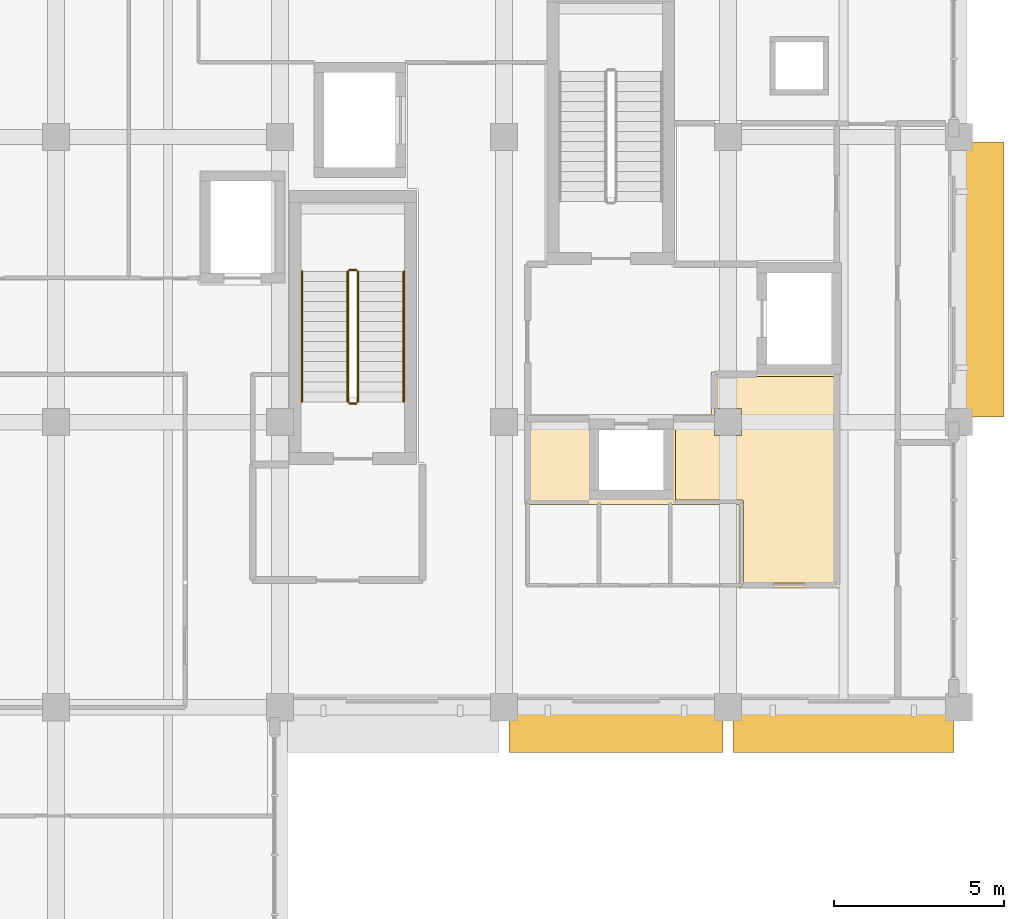
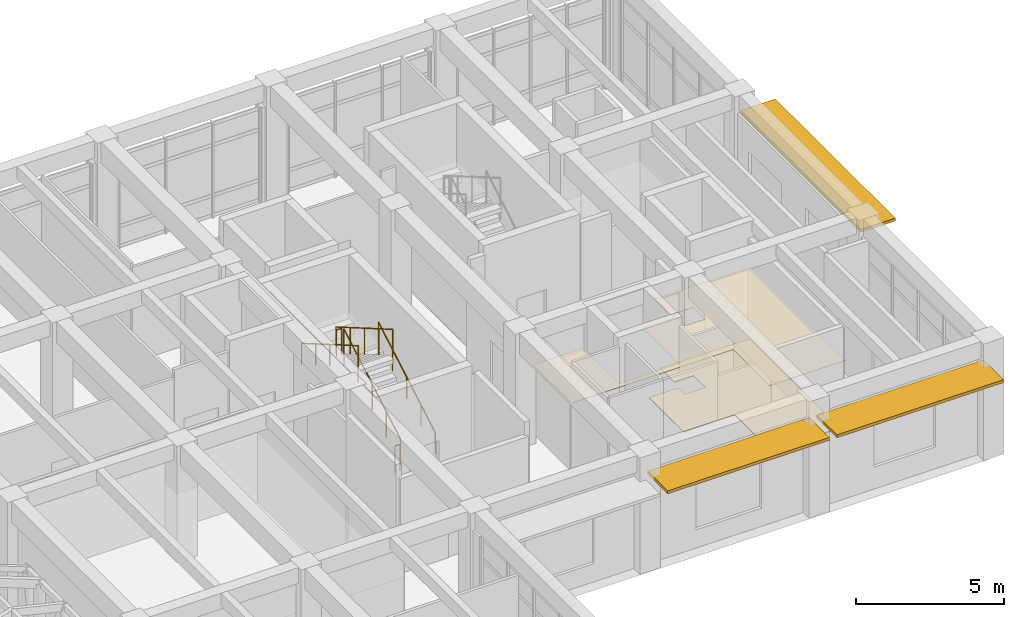
# One storey, part 77 of 79: 6 railings, 3 shading devices, 2 coverings.
"""IFC4 building model written with IfcOpenShell, lengths in metres."""

from ifc_helpers import new_model, si_unit, direction, frame, origin, origin_2d, place, context, subcontext, project, spatial, polyline, rectangle, circle, outline, extrude, material, layer, layer_set, type_object, element, save


model = new_model("IFC4")

# Units and contexts
model_context = context("Model", 3, precision=1e-05, world=origin(), true_north=direction((0.0, 1.0)))
body_context = subcontext(model_context, "Body", "Model", "MODEL_VIEW")
ifc_project = project(units=[si_unit("LENGTHUNIT", "METRE"), si_unit("AREAUNIT", "SQUARE_METRE"), si_unit("VOLUMEUNIT", "CUBIC_METRE"), si_unit("PLANEANGLEUNIT", "RADIAN"), si_unit("MASSUNIT", "GRAM", prefix="KILO")], contexts=[model_context])

# Site, building, storey
site_placement = place(None, origin())
site = spatial("IfcSite", under=ifc_project, at=site_placement, CompositionType="ELEMENT")
building_placement = place(site_placement, origin())
building = spatial("IfcBuilding", under=site, at=building_placement, Name="Kolvaren Faculty of Natural Sciences", CompositionType="ELEMENT")
storey_placement = place(building_placement, frame((0.0, 0.0, 10.199951171875)))
storey = spatial("IfcBuildingStorey", under=building, at=storey_placement, Name="L02", CompositionType="ELEMENT", Elevation=10.199951171875)

# Covering
ifc_material_1 = material(Name="Perforated mineral-fibre acoustic suspended ceiling tile")
ifc_layer_1 = layer(ifc_material_1, 0.02490234375)
ifc_layer_set_1 = layer_set([ifc_layer_1], Name="Perforated mineral-fibre acoustic suspended ceiling tile")
covering_type_1 = type_object("IfcCoveringType", Name="AcousticSuspendedCeiling_25", PredefinedType="CEILING", material=ifc_layer_set_1)
covering_1_placement = place(storey_placement, frame((0.0, 0.0, 2.824951171875)))
element("IfcCovering", 1, at=covering_1_placement, inside=storey, type_object=covering_type_1, Name="L02 Precision Specimen Store acoustic ceiling", PredefinedType="CEILING", context=body_context, shape_type="SweptSolid", body=[
    extrude(outline(polyline([(165.52001953125, 62.52001953125), (165.52001953125, 64.969970703125), (159.219970703125, 64.969970703125), (159.219970703125, 67.580078125), (161.179931640625, 67.580078125), (161.179931640625, 65.179931640625), (163.52001953125, 65.179931640625), (163.52001953125, 67.580078125), (164.719970703125, 67.580078125), (164.719970703125, 68.8798828125), (168.47998046875, 68.8798828125), (168.47998046875, 62.52001953125), (165.52001953125, 62.52001953125)]), holes=[polyline([(164.800048828125, 67.800048828125), (164.800048828125, 67.0), (165.60009765625, 67.0), (165.60009765625, 67.800048828125), (164.800048828125, 67.800048828125)])]), origin(), (0.0, 0.0, 1.0), 0.025146484375),
])

# Shading devices
ifc_material_2 = material(Name="Precast concrete C35/45", Category="concrete")
ifc_layer_2 = layer(ifc_material_2, 0.1201171875)
ifc_layer_set_2 = layer_set([ifc_layer_2], Name="Precast concrete C35/45")
shading_device_type = type_object("IfcShadingDeviceType", Name="ChhajjaSolarHood_1350", PredefinedType="AWNING", material=ifc_layer_set_2)
shading_device_1_placement = place(storey_placement, frame((172.655029296875, 71.60009765625, 3.844970703125), z_axis=(0.0, 0.0, 1.0), x_axis=(0.0, -1.0, 0.0)))
element("IfcShadingDevice", 2, at=shading_device_1_placement, inside=storey, type_object=shading_device_type, Name="L02 precast sandstone chhajja solar hood 101", PredefinedType="AWNING", context=body_context, shape_type="SweptSolid", body=[
    extrude(rectangle(XDim=8.10009765625, YDim=1.35009765625, at=origin_2d()), origin(), (0.0, 0.0, 1.0), 0.1201171875),
])
shading_device_2_placement = place(storey_placement, frame((168.60009765625, 58.344970703125, 3.695068359375), z_axis=(0.0, 0.0, 1.0), x_axis=(-1.0, 0.0, 0.0)))
element("IfcShadingDevice", 3, at=shading_device_2_placement, inside=storey, type_object=shading_device_type, Name="L02 precast sandstone chhajja solar hood 102", PredefinedType="AWNING", context=body_context, shape_type="SweptSolid", body=[
    extrude(rectangle(XDim=6.5, YDim=1.35009765625, at=origin_2d()), origin(), (0.0, 0.0, 1.0), 0.1201171875),
])
shading_device_3_placement = place(storey_placement, frame((161.89990234375, 58.344970703125, 3.695068359375), z_axis=(0.0, 0.0, 1.0), x_axis=(-1.0, 0.0, 0.0)))
element("IfcShadingDevice", 4, at=shading_device_3_placement, inside=storey, type_object=shading_device_type, Name="L02 precast sandstone chhajja solar hood 103", PredefinedType="AWNING", context=body_context, shape_type="SweptSolid", body=[
    extrude(rectangle(XDim=6.300048828125, YDim=1.35009765625, at=origin_2d()), origin(), (0.0, 0.0, 1.0), 0.1201171875),
])

# Railings
ifc_material_3 = material(Name="Structural steel EN 10210-1 S355J2H", Category="steel")
ifc_layer_3 = layer(ifc_material_3, 0.048095703125)
ifc_layer_set_3 = layer_set([ifc_layer_3], Name="Structural steel EN 10210-1 S355J2H")
railing_type_1 = type_object("IfcRailingType", Name="StairPitchHandrail_920", PredefinedType="HANDRAIL", material=ifc_layer_set_3)
railing_1_placement = place(storey_placement, frame((155.64990234375, 68.0, 0.17138671875)))
element("IfcRailing", 5, at=railing_1_placement, inside=storey, type_object=railing_type_1, Name="L02 ST-2 stair handrail 1", PredefinedType="HANDRAIL", context=body_context, shape_type="SweptSolid", body=[
    extrude(circle(Radius=0.02392578125, at=origin_2d()), frame((0.0, 0.0, 0.8759765625), z_axis=(0.0, 0.864592272851, 0.502474080651), x_axis=(-1.0, 0.0, 0.0)), (0.0, 0.0, 1.0), 4.435546875),
    extrude(circle(Radius=0.02099609375, at=origin_2d()), origin(), (0.0, 0.0, 1.0), 0.851806640625),
    extrude(circle(Radius=0.02099609375, at=origin_2d()), frame((0.0, 0.958740234375, 0.55712890625)), (0.0, 0.0, 1.0), 0.851806640625),
    extrude(circle(Radius=0.02099609375, at=origin_2d()), frame((0.0, 1.91748046875, 1.1142578125)), (0.0, 0.0, 1.0), 0.851806640625),
    extrude(circle(Radius=0.02099609375, at=origin_2d()), frame((0.0, 2.876220703125, 1.671630859375)), (0.0, 0.0, 1.0), 0.851806640625),
    extrude(circle(Radius=0.02099609375, at=origin_2d()), frame((0.0, 3.8349609375, 2.228759765625)), (0.0, 0.0, 1.0), 0.851806640625),
])
railing_2_placement = place(storey_placement, frame((152.64990234375, 71.8349609375, 2.571533203125)))
element("IfcRailing", 6, at=railing_2_placement, inside=storey, type_object=railing_type_1, Name="L02 ST-2 stair handrail 2", PredefinedType="HANDRAIL", context=body_context, shape_type="SweptSolid", body=[
    extrude(circle(Radius=0.02392578125, at=origin_2d()), frame((0.0, 0.0, 0.8759765625), z_axis=(0.0, -0.86461618451, 0.502432934314), x_axis=(1.0, 0.0, 0.0)), (0.0, 0.0, 1.0), 4.435546875),
    extrude(circle(Radius=0.02099609375, at=origin_2d()), origin(), (0.0, 0.0, 1.0), 0.851806640625),
    extrude(circle(Radius=0.02099609375, at=origin_2d()), frame((0.0, -0.958740234375, 0.55712890625)), (0.0, 0.0, 1.0), 0.851806640625),
    extrude(circle(Radius=0.02099609375, at=origin_2d()), frame((0.0, -1.91748046875, 1.1142578125)), (0.0, 0.0, 1.0), 0.851806640625),
    extrude(circle(Radius=0.02099609375, at=origin_2d()), frame((0.0, -2.876220703125, 1.67138671875)), (0.0, 0.0, 1.0), 0.851806640625),
    extrude(circle(Radius=0.02099609375, at=origin_2d()), frame((0.0, -3.8349609375, 2.228515625)), (0.0, 0.0, 1.0), 0.851806640625),
])
ifc_layer_4 = layer(ifc_material_3, 0.048095703125)
ifc_layer_set_4 = layer_set([ifc_layer_4], Name="Structural steel EN 10210-1 S355J2H")
railing_type_2 = type_object("IfcRailingType", Name="StairWellGuard_1100", PredefinedType="BALUSTRADE", material=ifc_layer_set_4)
railing_3_placement = place(storey_placement, frame((154.300048828125, 68.0, 0.17138671875)))
element("IfcRailing", 7, at=railing_3_placement, inside=storey, type_object=railing_type_2, Name="L02 ST-2 stair guard 1", PredefinedType="BALUSTRADE", context=body_context, shape_type="SweptSolid", body=[
    extrude(circle(Radius=0.02392578125, at=origin_2d()), frame((0.0, 0.0, 1.076171875), z_axis=(0.0, 0.864592272851, 0.502474080651), x_axis=(-1.0, 0.0, 0.0)), (0.0, 0.0, 1.0), 4.435546875),
    extrude(circle(Radius=0.02099609375, at=origin_2d()), origin(), (0.0, 0.0, 1.0), 1.052001953125),
    extrude(circle(Radius=0.02099609375, at=origin_2d()), frame((0.0, 0.958740234375, 0.55712890625)), (0.0, 0.0, 1.0), 1.052001953125),
    extrude(circle(Radius=0.02099609375, at=origin_2d()), frame((0.0, 1.91748046875, 1.1142578125)), (0.0, 0.0, 1.0), 1.052001953125),
    extrude(circle(Radius=0.02099609375, at=origin_2d()), frame((0.0, 2.876220703125, 1.671630859375)), (0.0, 0.0, 1.0), 1.052001953125),
    extrude(circle(Radius=0.02099609375, at=origin_2d()), frame((0.0, 3.8349609375, 2.228759765625)), (0.0, 0.0, 1.0), 1.052001953125),
])
railing_4_placement = place(storey_placement, frame((154.25, 71.885009765625, 2.400146484375)))
element("IfcRailing", 8, at=railing_4_placement, inside=storey, type_object=railing_type_2, Name="L02 ST-2 stair guard 2", PredefinedType="BALUSTRADE", context=body_context, shape_type="SweptSolid", body=[
    extrude(circle(Radius=0.02392578125, at=origin_2d()), frame((0.0, 0.0, 1.076171875), z_axis=(-1.0, 0.0, 0.0), x_axis=(0.0, -1.0, 0.0)), (0.0, 0.0, 1.0), 0.199951171875),
    extrude(circle(Radius=0.02099609375, at=origin_2d()), origin(), (0.0, 0.0, 1.0), 1.052001953125),
    extrude(circle(Radius=0.02099609375, at=origin_2d()), frame((-0.199951171875, 0.0, 0.0)), (0.0, 0.0, 1.0), 1.052001953125),
])
railing_5_placement = place(storey_placement, frame((154.0, 71.8349609375, 2.571533203125)))
element("IfcRailing", 9, at=railing_5_placement, inside=storey, type_object=railing_type_2, Name="L02 ST-2 stair guard 3", PredefinedType="BALUSTRADE", context=body_context, shape_type="SweptSolid", body=[
    extrude(circle(Radius=0.02392578125, at=origin_2d()), frame((0.0, 0.0, 1.076171875), z_axis=(0.0, -0.86461618451, 0.502432934314), x_axis=(1.0, 0.0, 0.0)), (0.0, 0.0, 1.0), 4.435546875),
    extrude(circle(Radius=0.02099609375, at=origin_2d()), origin(), (0.0, 0.0, 1.0), 1.052001953125),
    extrude(circle(Radius=0.02099609375, at=origin_2d()), frame((0.0, -0.958740234375, 0.55712890625)), (0.0, 0.0, 1.0), 1.052001953125),
    extrude(circle(Radius=0.02099609375, at=origin_2d()), frame((0.0, -1.91748046875, 1.1142578125)), (0.0, 0.0, 1.0), 1.052001953125),
    extrude(circle(Radius=0.02099609375, at=origin_2d()), frame((0.0, -2.876220703125, 1.67138671875)), (0.0, 0.0, 1.0), 1.052001953125),
    extrude(circle(Radius=0.02099609375, at=origin_2d()), frame((0.0, -3.8349609375, 2.228515625)), (0.0, 0.0, 1.0), 1.052001953125),
])
railing_6_placement = place(storey_placement, frame((154.25, 67.949951171875, 0.0)))
element("IfcRailing", 10, at=railing_6_placement, inside=storey, type_object=railing_type_2, Name="L02 ST-2 stair guard 4", PredefinedType="BALUSTRADE", context=body_context, shape_type="SweptSolid", body=[
    extrude(circle(Radius=0.02392578125, at=origin_2d()), frame((0.0, 0.0, 1.076171875), z_axis=(-1.0, 0.0, 0.0), x_axis=(0.0, -1.0, 0.0)), (0.0, 0.0, 1.0), 0.199951171875),
    extrude(circle(Radius=0.02099609375, at=origin_2d()), origin(), (0.0, 0.0, 1.0), 1.052001953125),
    extrude(circle(Radius=0.02099609375, at=origin_2d()), frame((-0.199951171875, 0.0, 0.0)), (0.0, 0.0, 1.0), 1.052001953125),
])

# Covering
ifc_material_4 = material(Name="Polished Uruguayan grey granite terrazzo flooring", Category="masonry")
ifc_layer_5 = layer(ifc_material_4, 0.030029296875)
ifc_layer_set_5 = layer_set([ifc_layer_5], Name="Polished Uruguayan grey granite terrazzo flooring")
covering_type_2 = type_object("IfcCoveringType", Name="TerrazzoFloorFinish_30", PredefinedType="FLOORING", material=ifc_layer_set_5)
covering_2_placement = place(storey_placement, origin())
element("IfcCovering", 11, at=covering_2_placement, inside=storey, type_object=covering_type_2, Name="L02 Precision Specimen Store floor finish", PredefinedType="FLOORING", context=body_context, shape_type="SweptSolid", body=[
    extrude(outline(polyline([(163.659912109375, 67.43994140625), (164.800048828125, 67.43994140625), (164.800048828125, 67.0), (165.60009765625, 67.0), (165.60009765625, 67.800048828125), (164.860107421875, 67.800048828125), (164.860107421875, 68.739990234375), (168.340087890625, 68.739990234375), (168.340087890625, 62.659912109375), (165.659912109375, 62.659912109375), (165.659912109375, 65.050048828125), (165.65966796875, 65.055908203125), (165.65869140625, 65.061767578125), (165.657470703125, 65.0673828125), (165.655517578125, 65.072998046875), (165.65283203125, 65.078369140625), (165.64990234375, 65.083251953125), (165.646484375, 65.088134765625), (165.642333984375, 65.09228515625), (165.63818359375, 65.096435546875), (165.63330078125, 65.099853515625), (165.62841796875, 65.102783203125), (165.623046875, 65.10546875), (165.617431640625, 65.107421875), (165.61181640625, 65.10888671875), (165.60595703125, 65.109619140625), (165.60009765625, 65.110107421875), (163.659912109375, 65.110107421875), (163.659912109375, 67.43994140625)])), origin(), (0.0, 0.0, 1.0), 0.030029296875),
])

save(model, "model.ifc")
